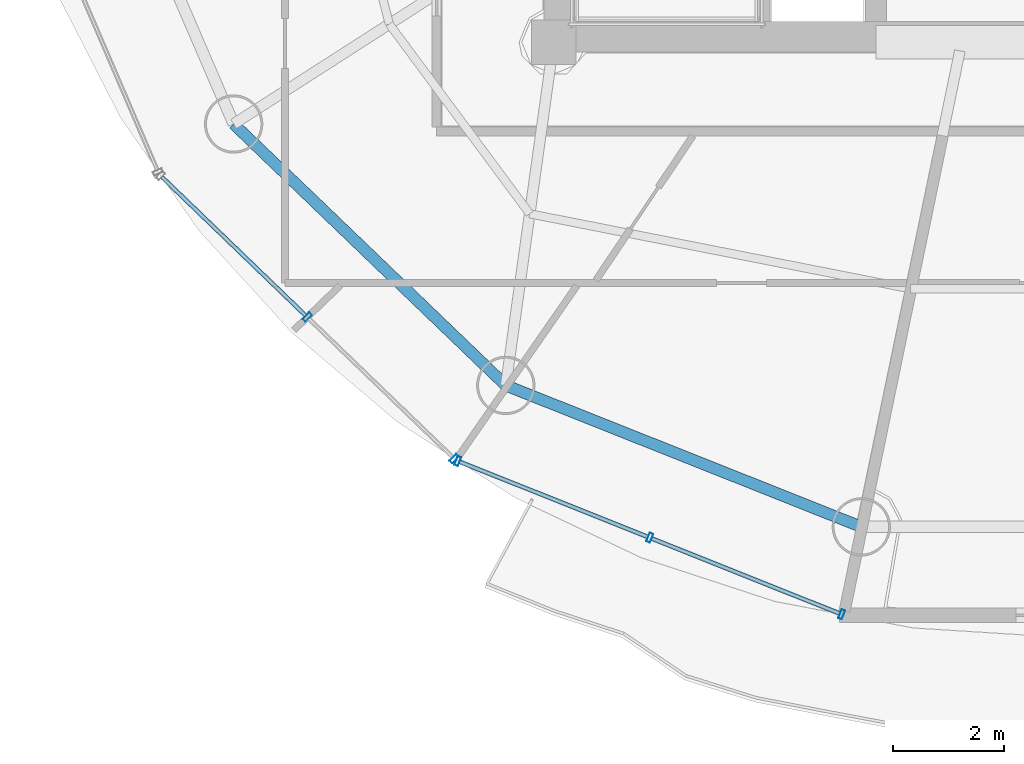
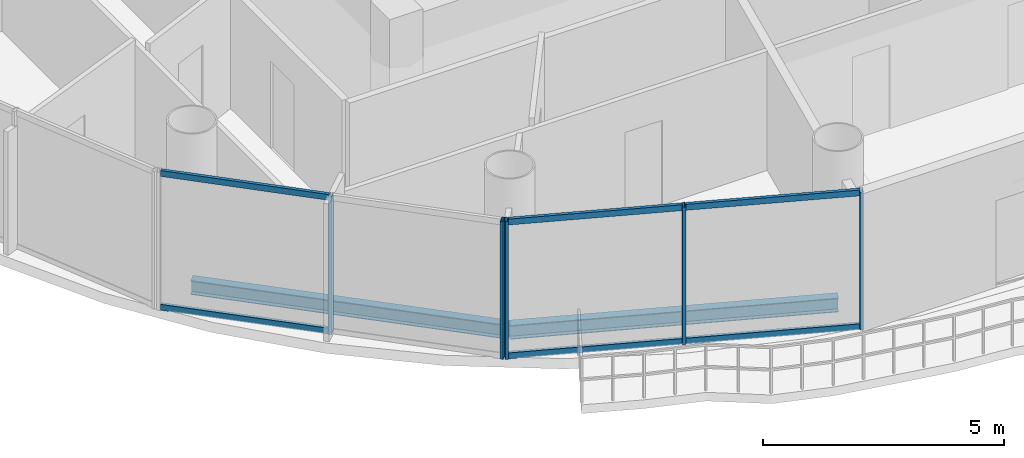
# One storey, part 2 of 23: 11 members, 2 beams, 2 elements without a shape of their own.
"""IFC4 building model written with IfcOpenShell, lengths in metres."""

from ifc_helpers import new_model, si_unit, direction, frame, origin, origin_2d, place, context, subcontext, project, spatial, hollow_rectangle, i_section, extrude, source, transform, mapped, material, material_profile, profile_set, type_object, element, aggregate, save


model = new_model("IFC4")

# Units and contexts
model_context = context("Model", 3, precision=1e-05, world=origin(), true_north=direction((-0.2419218956, 0.970295726276)))
body_context = subcontext(model_context, "Body", "Model", "MODEL_VIEW")
ifc_project = project(units=[si_unit("LENGTHUNIT", "METRE"), si_unit("AREAUNIT", "SQUARE_METRE"), si_unit("VOLUMEUNIT", "CUBIC_METRE"), si_unit("PLANEANGLEUNIT", "RADIAN"), si_unit("MASSUNIT", "GRAM", prefix="KILO")], contexts=[model_context])

# Site, building, storey
site_placement = place(None, origin())
site = spatial("IfcSite", under=ifc_project, at=site_placement, CompositionType="ELEMENT")
building_placement = place(site_placement, origin())
building = spatial("IfcBuilding", under=site, at=building_placement, Name="Cobrevalo Terracotta Tower", CompositionType="ELEMENT")
storey_placement = place(building_placement, frame((0.0, 0.0, 259.449951171875)))
storey = spatial("IfcBuildingStorey", under=building, at=storey_placement, Name="L68", CompositionType="ELEMENT", Elevation=259.449951171875)

# Beams
ifc_material_1 = material(Name="Steel S355", Category="steel")
ifc_material_profile_1 = material_profile(ifc_material_1, i_section(OverallWidth=0.205078125, OverallDepth=0.35400390625, WebThickness=0.009521484375, FlangeThickness=0.016845703125, at=origin_2d()), Name="W 360x79")
ifc_profile_set_1 = profile_set([ifc_material_profile_1], Name="Steel S355")
beam_type = type_object("IfcBeamType", Name="Structural Spandrel W 360x79 (Steel S355)", PredefinedType="SPANDREL", material=ifc_profile_set_1)
beam_1_placement = place(storey_placement, frame((23.241455078125, 17.32763671875, -0.43701171875), z_axis=(0.721183246144, -0.692744343522, 0.0), x_axis=(0.692744343522, 0.721183246144, 0.0)))
element("IfcBeam", 1, at=beam_1_placement, inside=storey, type_object=beam_type, Name="L68 perimeter ring spandrel 10", PredefinedType="SPANDREL", context=body_context, shape_type="SweptSolid", body=[
    extrude(i_section(OverallWidth=0.205078125, OverallDepth=0.35400390625, WebThickness=0.009521484375, FlangeThickness=0.016845703125, at=origin_2d()), origin(), (0.0, 0.0, 1.0), 6.79052734375),
])
beam_2_placement = place(storey_placement, frame((28.138671875, 12.62353515625, -0.43701171875), z_axis=(0.929149986048, -0.369702993533, 0.0), x_axis=(0.369702993533, 0.929149986048, 0.0)))
element("IfcBeam", 2, at=beam_2_placement, inside=storey, type_object=beam_type, Name="L68 perimeter ring spandrel 11", PredefinedType="SPANDREL", context=body_context, shape_type="SweptSolid", body=[
    extrude(i_section(OverallWidth=0.205078125, OverallDepth=0.35400390625, WebThickness=0.009521484375, FlangeThickness=0.016845703125, at=origin_2d()), origin(), (0.0, 0.0, 1.0), 6.88623046875),
])

# Curtain wall, members
ifc_material_2 = material(Name="Anodized aluminium", Category="aluminium")
curtain_wall_type = type_object("IfcCurtainWallType", Name="Upper-tower triple-glazed penthouse curtain wall CW-U3", PredefinedType="NOTDEFINED", material=ifc_material_2)
curtain_wall_1_placement = place(storey_placement, origin())
curtain_wall_1 = element("IfcCurtainWall", 3, at=curtain_wall_1_placement, inside=storey, type_object=curtain_wall_type, Name="L68 curtain wall CW-L68-S10", PredefinedType="NOTDEFINED")
ifc_material_profile_2 = material_profile(ifc_material_2, hollow_rectangle(XDim=0.070068359375, YDim=0.169921875, WallThickness=0.00439453125, at=origin_2d()), Name="CWM 70x170")
ifc_profile_set_2 = profile_set([ifc_material_profile_2], Name="Anodized aluminium")
member_type_1 = type_object("IfcMemberType", Name="Upper tower unitised mullion 70x170", PredefinedType="MULLION", material=ifc_profile_set_2)
shared_shape_1 = source(origin(), body_context, "Body", "SweptSolid", [
    extrude(hollow_rectangle(XDim=0.070068359375, YDim=0.169921875, WallThickness=0.00439453125, at=origin_2d()), origin(), (0.0, 0.0, 1.0), 3.489990234375),
])
member_1_placement = place(storey_placement, frame((24.56640625, 13.85205078125, 0.0), z_axis=(0.0, 0.0, 1.0), x_axis=(0.71999418085, -0.69398010025, 0.0)))
member_1 = element("IfcMember", 4, at=member_1_placement, type_object=member_type_1, Name="CW-L68-S10 vertical mullion 02", PredefinedType="MULLION", context=body_context, shape_type="MappedRepresentation", body=[
    mapped(shared_shape_1, transform((0.0, 0.0, 0.0), scale=1.0)),
])
member_2_placement = place(storey_placement, frame((27.209716796875, 11.30419921875, 0.0), z_axis=(0.0, 0.0, 1.0), x_axis=(0.71999418085, -0.69398010025, 0.0)))
member_2 = element("IfcMember", 5, at=member_2_placement, type_object=member_type_1, Name="CW-L68-S10 vertical mullion 03", PredefinedType="MULLION", context=body_context, shape_type="MappedRepresentation", body=[
    mapped(shared_shape_1, transform((0.0, 0.0, 0.0), scale=1.0)),
])

curtain_wall_2_placement = place(storey_placement, origin())
curtain_wall_2 = element("IfcCurtainWall", 6, at=curtain_wall_2_placement, inside=storey, type_object=curtain_wall_type, Name="L68 curtain wall CW-L68-S11", PredefinedType="NOTDEFINED")
member_3_placement = place(storey_placement, frame((27.275634765625, 11.26171875, 0.0), z_axis=(0.0, 0.0, 1.0), x_axis=(0.928718980883, -0.370784377433, 0.0)))
member_3 = element("IfcMember", 7, at=member_3_placement, type_object=member_type_1, Name="CW-L68-S11 vertical mullion 01", PredefinedType="MULLION", context=body_context, shape_type="MappedRepresentation", body=[
    mapped(shared_shape_1, transform((0.0, 0.0, 0.0), scale=1.0)),
])
member_4_placement = place(storey_placement, frame((30.729736328125, 9.882568359375, 0.0), z_axis=(0.0, 0.0, 1.0), x_axis=(0.928718980883, -0.370784377433, 0.0)))
member_4 = element("IfcMember", 8, at=member_4_placement, type_object=member_type_1, Name="CW-L68-S11 vertical mullion 02", PredefinedType="MULLION", context=body_context, shape_type="MappedRepresentation", body=[
    mapped(shared_shape_1, transform((0.0, 0.0, 0.0), scale=1.0)),
])
member_5_placement = place(storey_placement, frame((34.183837890625, 8.503662109375, 0.0), z_axis=(0.0, 0.0, 1.0), x_axis=(0.928718980883, -0.370784377433, 0.0)))
member_5 = element("IfcMember", 9, at=member_5_placement, type_object=member_type_1, Name="CW-L68-S11 vertical mullion 03", PredefinedType="MULLION", context=body_context, shape_type="MappedRepresentation", body=[
    mapped(shared_shape_1, transform((0.0, 0.0, 0.0), scale=1.0)),
])

# Member
ifc_material_profile_3 = material_profile(ifc_material_2, hollow_rectangle(XDim=0.074951171875, YDim=0.14990234375, WallThickness=0.00439453125, at=origin_2d()), Name="CWT 75x150")
ifc_profile_set_3 = profile_set([ifc_material_profile_3], Name="Anodized aluminium")
member_type_2 = type_object("IfcMemberType", Name="Tower unitised aluminium transom 75x150", PredefinedType="USERDEFINED", material=ifc_profile_set_3)
shared_shape_2 = source(origin(), body_context, "Body", "SweptSolid", [
    extrude(hollow_rectangle(XDim=0.074951171875, YDim=0.14990234375, WallThickness=0.00439453125, at=origin_2d()), origin(), (0.0, 0.0, 1.0), 3.59130859375),
])
member_6_placement = place(storey_placement, frame((21.9521484375, 16.3720703125, 0.050048828125), z_axis=(0.719971660756, -0.694003463758, 0.0), x_axis=(0.694003463758, 0.719971660756, 0.0)))
member_6 = element("IfcMember", 10, at=member_6_placement, type_object=member_type_2, Name="CW-L68-S10 transom B01-T1", ObjectType="TRANSOM", PredefinedType="USERDEFINED", context=body_context, shape_type="MappedRepresentation", body=[
    mapped(shared_shape_2, transform((0.0, 0.0, 0.0), scale=1.0)),
])

member_7_placement = place(storey_placement, frame((21.9521484375, 16.3720703125, 3.43994140625), z_axis=(0.719971660756, -0.694003463758, 0.0), x_axis=(0.694003463758, 0.719971660756, 0.0)))
member_7 = element("IfcMember", 11, at=member_7_placement, type_object=member_type_2, Name="CW-L68-S10 transom B01-T2", ObjectType="TRANSOM", PredefinedType="USERDEFINED", context=body_context, shape_type="MappedRepresentation", body=[
    mapped(shared_shape_2, transform((0.0, 0.0, 0.0), scale=1.0)),
])

aggregate(curtain_wall_1, [member_1, member_2, member_6, member_7])

shared_shape_3 = source(origin(), body_context, "Body", "SweptSolid", [
    extrude(hollow_rectangle(XDim=0.074951171875, YDim=0.14990234375, WallThickness=0.00439453125, at=origin_2d()), origin(), (0.0, 0.0, 1.0), 3.63916015625),
])
member_8_placement = place(storey_placement, frame((27.31298828125, 11.246826171875, 0.050048828125), z_axis=(0.928712471544, -0.370800681227, 0.0), x_axis=(0.370800681227, 0.928712471544, 0.0)))
member_8 = element("IfcMember", 12, at=member_8_placement, type_object=member_type_2, Name="CW-L68-S11 transom B01-T1", ObjectType="TRANSOM", PredefinedType="USERDEFINED", context=body_context, shape_type="MappedRepresentation", body=[
    mapped(shared_shape_3, transform((0.0, 0.0, 0.0), scale=1.0)),
])

member_9_placement = place(storey_placement, frame((27.31298828125, 11.246826171875, 3.43994140625), z_axis=(0.928712471544, -0.370800681227, 0.0), x_axis=(0.370800681227, 0.928712471544, 0.0)))
member_9 = element("IfcMember", 13, at=member_9_placement, type_object=member_type_2, Name="CW-L68-S11 transom B01-T2", ObjectType="TRANSOM", PredefinedType="USERDEFINED", context=body_context, shape_type="MappedRepresentation", body=[
    mapped(shared_shape_3, transform((0.0, 0.0, 0.0), scale=1.0)),
])

member_10_placement = place(storey_placement, frame((30.76708984375, 9.86767578125, 0.050048828125), z_axis=(0.928712471544, -0.370800681227, 0.0), x_axis=(0.370800681227, 0.928712471544, 0.0)))
member_10 = element("IfcMember", 14, at=member_10_placement, type_object=member_type_2, Name="CW-L68-S11 transom B02-T1", ObjectType="TRANSOM", PredefinedType="USERDEFINED", context=body_context, shape_type="MappedRepresentation", body=[
    mapped(shared_shape_3, transform((0.0, 0.0, 0.0), scale=1.0)),
])

member_11_placement = place(storey_placement, frame((30.76708984375, 9.86767578125, 3.43994140625), z_axis=(0.928712471544, -0.370800681227, 0.0), x_axis=(0.370800681227, 0.928712471544, 0.0)))
member_11 = element("IfcMember", 15, at=member_11_placement, type_object=member_type_2, Name="CW-L68-S11 transom B02-T2", ObjectType="TRANSOM", PredefinedType="USERDEFINED", context=body_context, shape_type="MappedRepresentation", body=[
    mapped(shared_shape_3, transform((0.0, 0.0, 0.0), scale=1.0)),
])

aggregate(curtain_wall_2, [member_3, member_4, member_5, member_8, member_9, member_10, member_11])

save(model, "model.ifc")
